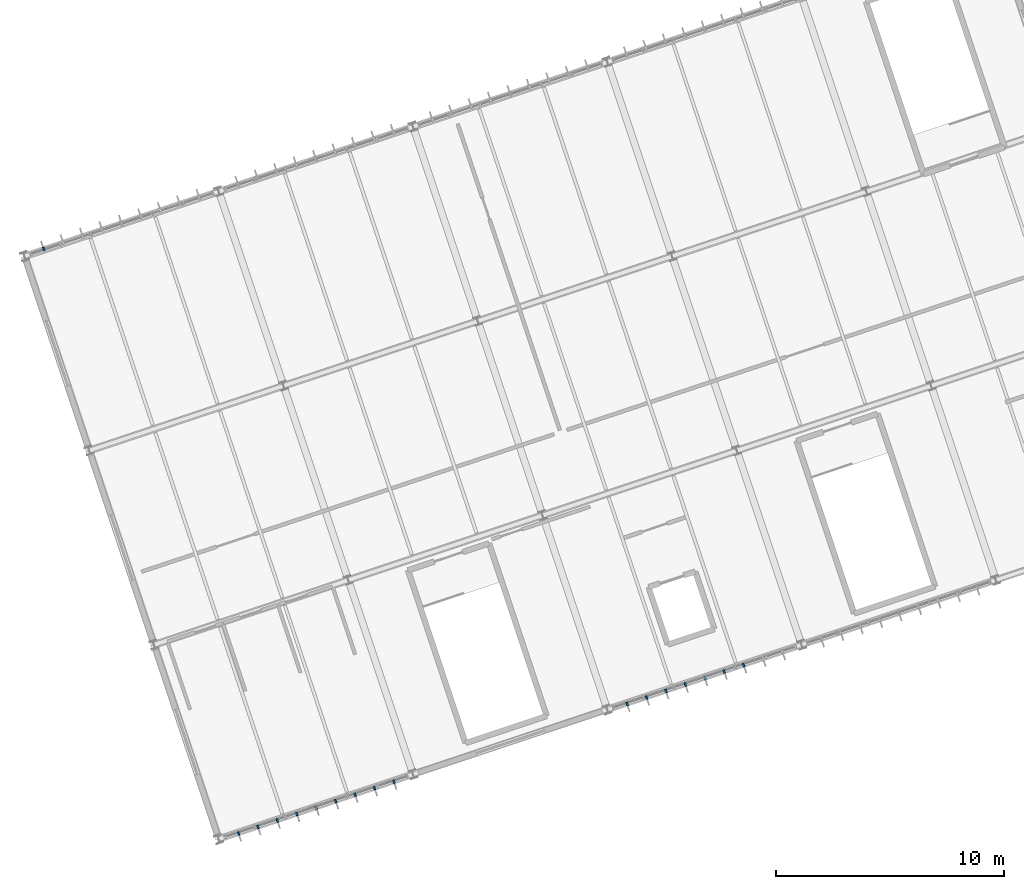
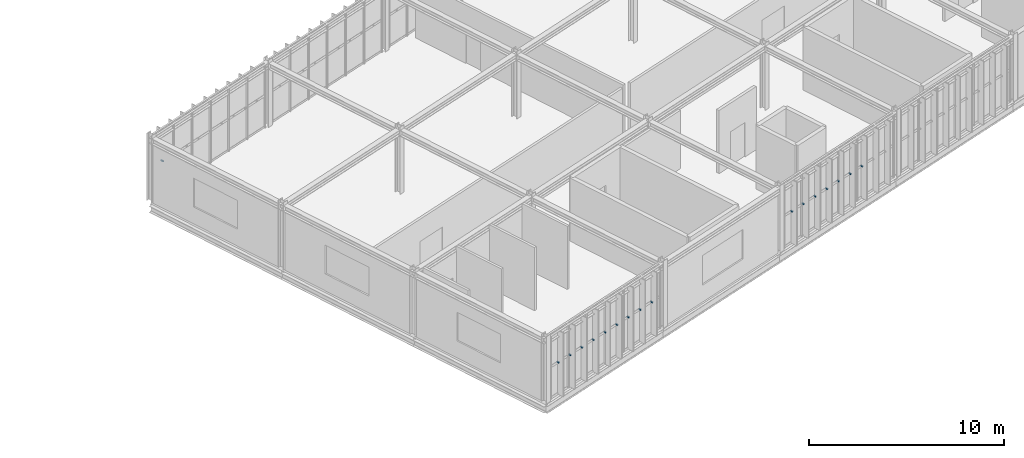
# One storey, part 49 of 61: 17 discrete accessories.
"""IFC4 building model written with IfcOpenShell, lengths in metres."""

from ifc_helpers import new_model, si_unit, derived_unit, direction, frame, origin, origin_2d, place, context, subcontext, project, spatial, rectangle, extrude, material, type_object, element, save


model = new_model("IFC4")

# Units and contexts
model_context = context("Model", 3, precision=1e-05, world=origin(), true_north=direction((0.0, 1.0)))
body_context = subcontext(model_context, "Body", "Model", "MODEL_VIEW")
ifc_project = project(units=[si_unit("LENGTHUNIT", "METRE"), si_unit("AREAUNIT", "SQUARE_METRE"), si_unit("VOLUMEUNIT", "CUBIC_METRE"), si_unit("PLANEANGLEUNIT", "RADIAN"), si_unit("MASSUNIT", "GRAM", prefix="KILO"), si_unit("THERMODYNAMICTEMPERATUREUNIT", "KELVIN"), si_unit("TIMEUNIT", "SECOND"), derived_unit("THERMALTRANSMITTANCEUNIT", [(si_unit("MASSUNIT", "GRAM", prefix="KILO"), 1), (si_unit("THERMODYNAMICTEMPERATUREUNIT", "KELVIN"), -1), (si_unit("TIMEUNIT", "SECOND"), -3)])], contexts=[model_context])

# Site, building, storey
site_placement = place(None, origin())
site = spatial("IfcSite", under=ifc_project, at=site_placement, CompositionType="ELEMENT")
building_placement = place(site_placement, origin())
building = spatial("IfcBuilding", under=site, at=building_placement, Name="Cambertide Market Hall", CompositionType="ELEMENT")
storey_placement = place(building_placement, frame((0.0, 0.0, 9.89990234375)))
storey = spatial("IfcBuildingStorey", under=building, at=storey_placement, Name="L03", CompositionType="ELEMENT", Elevation=9.89990234375)

# Discrete accessories
ifc_material = material(Name="Stainless Steel Grade 316", Category="metal")
discrete_accessory_type = type_object("IfcDiscreteAccessoryType", Name="Stainless Fin Outrigger Tie Bracket", PredefinedType="BRACKET", material=ifc_material)
for number, where, z_axis, x_axis, name in (
    (1, (98.302978515625, 37.93701171875, 1.949951171875), (0.0, 0.0, 1.0), (0.948683321523, 0.316227695598, 0.0), "CW-V3N-L03-1 Fin Tie Bracket 1"),
    (2, (113.697021484375, 14.5234375, 1.949951171875), (0.0, 0.0, 1.0), (-0.948683321523, -0.316227695598, 0.0), "CW-V3S-L03-1 Fin Tie Bracket 1"),
    (3, (112.84326171875, 14.239013671875, 1.949951171875), (0.0, 0.0, 1.0), (-0.948683321523, -0.316227695598, 0.0), "CW-V3S-L03-1 Fin Tie Bracket 2"),
    (4, (111.9892578125, 13.954345703125, 1.949951171875), (0.0, 0.0, 1.0), (-0.948683321523, -0.316227695598, 0.0), "CW-V3S-L03-1 Fin Tie Bracket 3"),
    (5, (111.135498046875, 13.669677734375, 1.949951171875), (0.0, 0.0, 1.0), (-0.948683321523, -0.316227695598, 0.0), "CW-V3S-L03-1 Fin Tie Bracket 4"),
    (6, (110.28173828125, 13.385009765625, 1.949951171875), (0.0, 0.0, 1.0), (-0.948683321523, -0.316227695598, 0.0), "CW-V3S-L03-1 Fin Tie Bracket 5"),
    (7, (109.427978515625, 13.1005859375, 1.949951171875), (0.0, 0.0, 1.0), (-0.948683321523, -0.316227695598, 0.0), "CW-V3S-L03-1 Fin Tie Bracket 6"),
    (8, (108.573974609375, 12.81591796875, 1.949951171875), (0.0, 0.0, 1.0), (-0.948683321523, -0.316227695598, 0.0), "CW-V3S-L03-1 Fin Tie Bracket 7"),
    (9, (107.72021484375, 12.53125, 1.949951171875), (0.0, 0.0, 1.0), (-0.948683321523, -0.316227695598, 0.0), "CW-V3S-L03-1 Fin Tie Bracket 8"),
    (10, (106.866455078125, 12.24658203125, 1.949951171875), (0.0, 0.0, 1.0), (-0.948683321523, -0.316227695598, 0.0), "CW-V3S-L03-1 Fin Tie Bracket 9"),
    (11, (129.065673828125, 19.646484375, 1.949951171875), (0.0, 0.0, 1.0), (-0.948683286311, -0.316227801236, 0.0), "CW-V3S-L03-3 Fin Tie Bracket 3"),
    (12, (128.2119140625, 19.36181640625, 1.949951171875), (0.0, 0.0, 1.0), (-0.948683286311, -0.316227801236, 0.0), "CW-V3S-L03-3 Fin Tie Bracket 4"),
    (13, (127.35791015625, 19.0771484375, 1.949951171875), (0.0, 0.0, 1.0), (-0.948683286311, -0.316227801236, 0.0), "CW-V3S-L03-3 Fin Tie Bracket 5"),
    (14, (126.504150390625, 18.79248046875, 1.949951171875), (0.0, 0.0, 1.0), (-0.948683286311, -0.316227801236, 0.0), "CW-V3S-L03-3 Fin Tie Bracket 6"),
    (15, (125.650390625, 18.508056640625, 1.949951171875), (0.0, 0.0, 1.0), (-0.948683286311, -0.316227801236, 0.0), "CW-V3S-L03-3 Fin Tie Bracket 7"),
    (16, (124.796630859375, 18.223388671875, 1.949951171875), (0.0, 0.0, 1.0), (-0.948683286311, -0.316227801236, 0.0), "CW-V3S-L03-3 Fin Tie Bracket 8"),
    (17, (123.94287109375, 17.938720703125, 1.949951171875), (0.0, 0.0, 1.0), (-0.948683286311, -0.316227801236, 0.0), "CW-V3S-L03-3 Fin Tie Bracket 9"),
):
    element("IfcDiscreteAccessory", number, at=place(storey_placement, frame(where, z_axis=z_axis, x_axis=x_axis)), inside=storey, type_object=discrete_accessory_type, Name=name, PredefinedType="BRACKET", context=body_context, shape_type="SweptSolid", body=[
        extrude(rectangle(XDim=0.080078125, YDim=0.159912109375, at=origin_2d()), origin(), (0.0, 0.0, 1.0), 0.080078125),
    ])

save(model, "model.ifc")
